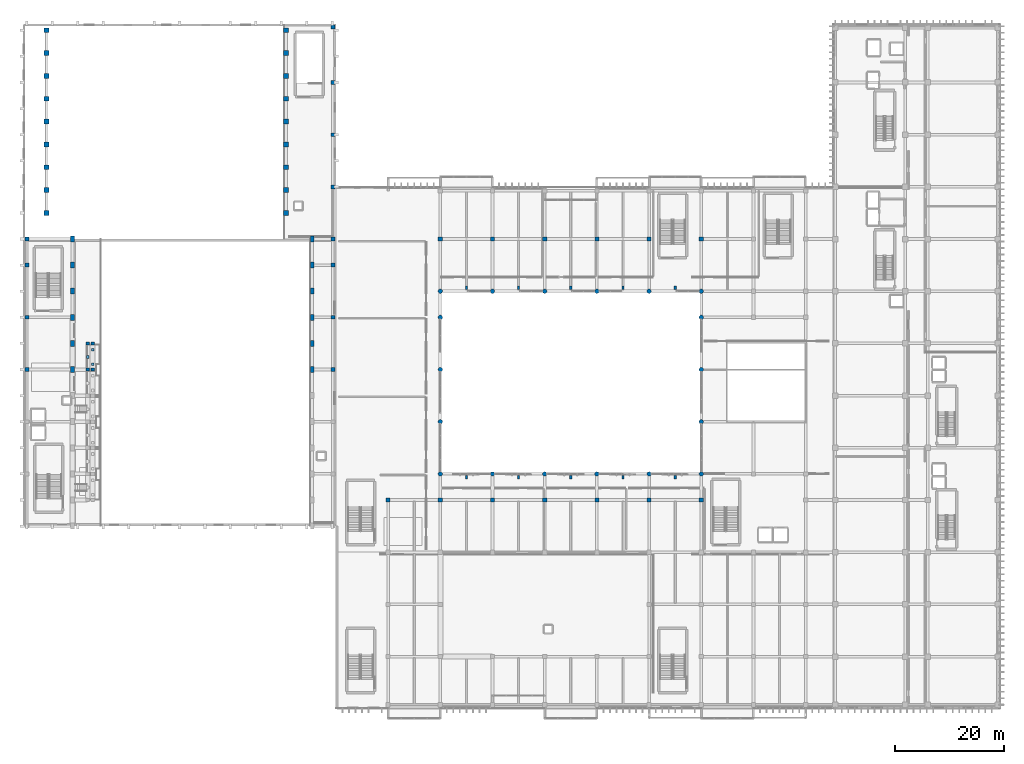
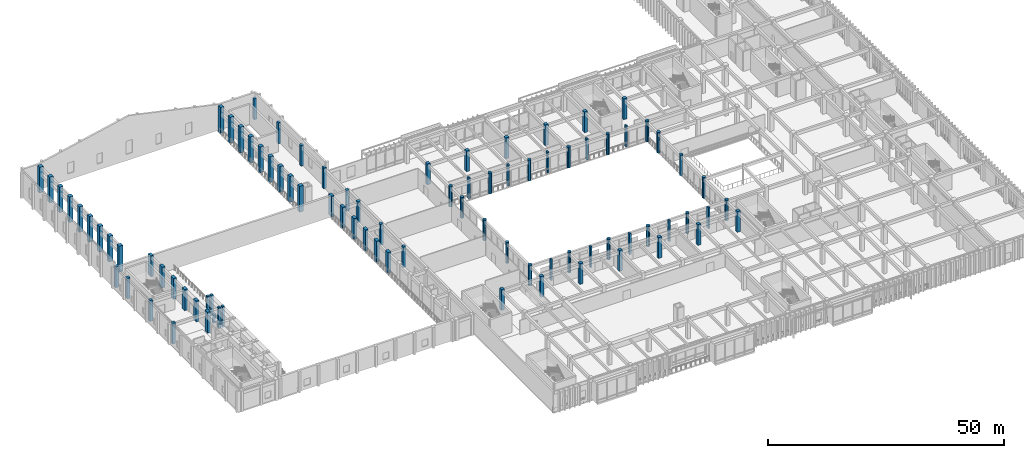
# One storey, part 3 of 134: 90 columns.
"""IFC4 building model written with IfcOpenShell, lengths in metres."""

from ifc_helpers import new_model, si_unit, direction, frame, origin, origin_2d, place, context, subcontext, project, spatial, rectangle, circle, extrude, material, material_profile, profile_set, type_object, element, save


model = new_model("IFC4")

# Units and contexts
model_context = context("Model", 3, precision=1e-05, world=origin(), true_north=direction((0.0, 1.0)))
body_context = subcontext(model_context, "Body", "Model", "MODEL_VIEW")
ifc_project = project(units=[si_unit("LENGTHUNIT", "METRE"), si_unit("AREAUNIT", "SQUARE_METRE"), si_unit("VOLUMEUNIT", "CUBIC_METRE"), si_unit("PLANEANGLEUNIT", "RADIAN"), si_unit("MASSUNIT", "GRAM", prefix="KILO")], contexts=[model_context])

# Site, building, storey
site_placement = place(None, origin())
site = spatial("IfcSite", under=ifc_project, at=site_placement, CompositionType="ELEMENT")
building_placement = place(site_placement, origin())
building = spatial("IfcBuilding", under=site, at=building_placement, Name="Nakhvara Creek Congress Hotel", CompositionType="ELEMENT")
storey_placement = place(building_placement, frame((0.0, 0.0, 6.0)))
storey = spatial("IfcBuildingStorey", under=building, at=storey_placement, Name="L01", CompositionType="ELEMENT", Elevation=6.0)

# Columns
ifc_material = material(Name="Concrete C50/60", Category="concrete")
ifc_material_profile_1 = material_profile(ifc_material, rectangle(XDim=0.5, YDim=0.5, at=origin_2d()), Name="RC-COL 500x500", Category="LoadBearing")
ifc_profile_set_1 = profile_set([ifc_material_profile_1], Name="Concrete C50/60")
column_type_1 = type_object("IfcColumnType", Name="COL-RC-500", PredefinedType="COLUMN", material=ifc_profile_set_1)
for number, where, z_axis, x_axis, name in (
    (1, (12.85009765625, 63.35009765625, 0.0), (0.0, 0.0, 1.0), (1.0, 0.0, 0.0), "Congress Stand Riser Pier L01-6.1"),
    (2, (12.85009765625, 66.050048828125, 0.0), (0.0, 0.0, 1.0), (1.0, 0.0, 0.0), "Congress Stand Riser Pier L01-6.2"),
    (3, (11.949951171875, 64.699951171875, 0.0), (0.0, 0.0, 1.0), (1.0, 0.0, 0.0), "Congress Stand Riser Pier L01-6.3"),
):
    element("IfcColumn", number, at=place(storey_placement, frame(where, z_axis=z_axis, x_axis=x_axis)), inside=storey, type_object=column_type_1, Name=name, PredefinedType="COLUMN", context=body_context, shape_type="SweptSolid", body=[
        extrude(rectangle(XDim=0.5, YDim=0.5, at=origin_2d()), origin(), (0.0, 0.0, 1.0), 1.159912109375),
    ])
ifc_material_profile_2 = material_profile(ifc_material, rectangle(XDim=0.60009765625, YDim=0.60009765625, at=origin_2d()), Name="RC-COL 600x600", Category="LoadBearing")
ifc_profile_set_2 = profile_set([ifc_material_profile_2], Name="Concrete C50/60")
column_type_2 = type_object("IfcColumnType", Name="COL-RC-600", PredefinedType="COLUMN", material=ifc_profile_set_2)
for number, where, z_axis, x_axis, name in (
    (4, (11.949951171875, 62.39990234375, 0.0), (0.0, 0.0, 1.0), (1.0, 0.0, 0.0), "Column C08-L01-0866"),
    (5, (12.85009765625, 62.39990234375, 0.0), (0.0, 0.0, 1.0), (1.0, 0.0, 0.0), "Column C08-L01-0867"),
    (6, (11.949951171875, 67.199951171875, 0.0), (0.0, 0.0, 1.0), (1.0, 0.0, 0.0), "Column C08-L01-0868"),
    (7, (12.85009765625, 67.199951171875, 0.0), (0.0, 0.0, 1.0), (1.0, 0.0, 0.0), "Column C08-L01-0869"),
):
    element("IfcColumn", number, at=place(storey_placement, frame(where, z_axis=z_axis, x_axis=x_axis)), inside=storey, type_object=column_type_2, Name=name, PredefinedType="COLUMN", context=body_context, shape_type="SweptSolid", body=[
        extrude(rectangle(XDim=0.60009765625, YDim=0.60009765625, at=origin_2d()), origin(), (0.0, 0.0, 1.0), 5.39990234375),
    ])
ifc_material_profile_3 = material_profile(ifc_material, rectangle(XDim=0.699951171875, YDim=0.699951171875, at=origin_2d()), Name="RC-COL 700x700", Category="LoadBearing")
ifc_profile_set_3 = profile_set([ifc_material_profile_3], Name="Concrete C50/60")
column_type_3 = type_object("IfcColumnType", Name="COL-RC-700", PredefinedType="COLUMN", material=ifc_profile_set_3)
for number, where, z_axis, x_axis, name in (
    (8, (0.75, 62.39990234375, 0.0), (0.0, 0.0, 1.0), (1.0, 0.0, 0.0), "Column C06-L01-0824"),
    (9, (57.050048828125, 62.39990234375, 0.0), (0.0, 0.0, 1.0), (1.0, 0.0, 0.0), "Column C06-L01-0825"),
    (10, (0.75, 72.0, 0.0), (0.0, 0.0, 1.0), (1.0, 0.0, 0.0), "Column C06-L01-0826"),
    (11, (57.050048828125, 72.0, 0.0), (0.0, 0.0, 1.0), (1.0, 0.0, 0.0), "Column C06-L01-0827"),
    (12, (0.75, 81.60009765625, 0.0), (0.0, 0.0, 1.0), (1.0, 0.0, 0.0), "Column C06-L01-0828"),
    (13, (57.050048828125, 81.60009765625, 0.0), (0.0, 0.0, 1.0), (1.0, 0.0, 0.0), "Column C06-L01-0829"),
    (14, (0.75, 86.39990234375, 0.0), (0.0, 0.0, 1.0), (1.0, 0.0, 0.0), "Column C06-L01-0830"),
    (15, (57.050048828125, 86.39990234375, 0.0), (0.0, 0.0, 1.0), (1.0, 0.0, 0.0), "Column C06-L01-0831"),
    (16, (57.050048828125, 96.0, 0.0), (0.0, 0.0, 1.0), (1.0, 0.0, 0.0), "Column C06-L01-0888"),
    (17, (57.050048828125, 105.60009765625, 0.0), (0.0, 0.0, 1.0), (1.0, 0.0, 0.0), "Column C06-L01-0889"),
    (18, (57.050048828125, 115.199951171875, 0.0), (0.0, 0.0, 1.0), (1.0, 0.0, 0.0), "Column C06-L01-0890"),
    (19, (57.050048828125, 125.39990234375, 0.0), (0.0, 0.0, 1.0), (1.0, 0.0, 0.0), "Column C06-L01-0891"),
):
    element("IfcColumn", number, at=place(storey_placement, frame(where, z_axis=z_axis, x_axis=x_axis)), inside=storey, type_object=column_type_3, Name=name, PredefinedType="COLUMN", context=body_context, shape_type="SweptSolid", body=[
        extrude(rectangle(XDim=0.699951171875, YDim=0.699951171875, at=origin_2d()), origin(), (0.0, 0.0, 1.0), 5.39990234375),
    ])
ifc_material_profile_4 = material_profile(ifc_material, rectangle(XDim=0.699951171875, YDim=1.10009765625, at=origin_2d()), Name="RC-COL 700x1100", Category="LoadBearing")
ifc_profile_set_4 = profile_set([ifc_material_profile_4], Name="Concrete C50/60")
column_type_4 = type_object("IfcColumnType", Name="COL-RC-700X1100", PredefinedType="COLUMN", material=ifc_profile_set_4)
for number, where, z_axis, x_axis, name in (
    (20, (9.14990234375, 62.39990234375, 0.0), (0.0, 0.0, 1.0), (1.0, 0.0, 0.0), "Column C12-L01-0844"),
    (21, (53.25, 62.39990234375, 0.0), (0.0, 0.0, 1.0), (1.0, 0.0, 0.0), "Column C12-L01-0845"),
    (22, (9.14990234375, 67.199951171875, 0.0), (0.0, 0.0, 1.0), (1.0, 0.0, 0.0), "Column C12-L01-0846"),
    (23, (53.25, 67.199951171875, 0.0), (0.0, 0.0, 1.0), (1.0, 0.0, 0.0), "Column C12-L01-0847"),
    (24, (9.14990234375, 72.0, 0.0), (0.0, 0.0, 1.0), (1.0, 0.0, 0.0), "Column C12-L01-0848"),
    (25, (53.25, 72.0, 0.0), (0.0, 0.0, 1.0), (1.0, 0.0, 0.0), "Column C12-L01-0849"),
    (26, (9.14990234375, 76.800048828125, 0.0), (0.0, 0.0, 1.0), (1.0, 0.0, 0.0), "Column C12-L01-0850"),
    (27, (53.25, 76.800048828125, 0.0), (0.0, 0.0, 1.0), (1.0, 0.0, 0.0), "Column C12-L01-0851"),
    (28, (9.14990234375, 81.60009765625, 0.0), (0.0, 0.0, 1.0), (1.0, 0.0, 0.0), "Column C12-L01-0852"),
    (29, (53.25, 81.60009765625, 0.0), (0.0, 0.0, 1.0), (1.0, 0.0, 0.0), "Column C12-L01-0853"),
    (30, (9.14990234375, 86.39990234375, 0.0), (0.0, 0.0, 1.0), (1.0, 0.0, 0.0), "Column C12-L01-0854"),
    (31, (53.25, 86.39990234375, 0.0), (0.0, 0.0, 1.0), (1.0, 0.0, 0.0), "Column C12-L01-0855"),
):
    element("IfcColumn", number, at=place(storey_placement, frame(where, z_axis=z_axis, x_axis=x_axis)), inside=storey, type_object=column_type_4, Name=name, PredefinedType="COLUMN", context=body_context, shape_type="SweptSolid", body=[
        extrude(rectangle(XDim=0.699951171875, YDim=1.10009765625, at=origin_2d()), origin(), (0.0, 0.0, 1.0), 5.39990234375),
    ])
ifc_material_profile_5 = material_profile(ifc_material, rectangle(XDim=0.780029296875, YDim=0.780029296875, at=origin_2d()), Name="RC-COL 780x780", Category="LoadBearing")
ifc_profile_set_5 = profile_set([ifc_material_profile_5], Name="Concrete C50/60")
column_type_5 = type_object("IfcColumnType", Name="COL-RC-780", PredefinedType="COLUMN", material=ifc_profile_set_5)
for number, where, z_axis, x_axis, name in (
    (32, (67.199951171875, 38.39990234375, 0.0), (0.0, 0.0, 1.0), (1.0, 0.0, 0.0), "Column C19-L01-0896"),
    (33, (76.800048828125, 38.39990234375, 0.0), (0.0, 0.0, 1.0), (1.0, 0.0, 0.0), "Column C19-L01-0901"),
    (34, (76.800048828125, 86.39990234375, 0.0), (0.0, 0.0, 1.0), (1.0, 0.0, 0.0), "Column C19-L01-0907"),
    (35, (86.39990234375, 38.39990234375, 0.0), (0.0, 0.0, 1.0), (1.0, 0.0, 0.0), "Column C19-L01-0912"),
    (36, (86.39990234375, 86.39990234375, 0.0), (0.0, 0.0, 1.0), (1.0, 0.0, 0.0), "Column C19-L01-0915"),
    (37, (96.0, 38.39990234375, 0.0), (0.0, 0.0, 1.0), (1.0, 0.0, 0.0), "Column C19-L01-0920"),
    (38, (96.0, 86.39990234375, 0.0), (0.0, 0.0, 1.0), (1.0, 0.0, 0.0), "Column C19-L01-0923"),
    (39, (105.60009765625, 38.39990234375, 0.0), (0.0, 0.0, 1.0), (1.0, 0.0, 0.0), "Column C19-L01-0928"),
    (40, (105.60009765625, 86.39990234375, 0.0), (0.0, 0.0, 1.0), (1.0, 0.0, 0.0), "Column C19-L01-0931"),
    (41, (115.199951171875, 38.39990234375, 0.0), (0.0, 0.0, 1.0), (1.0, 0.0, 0.0), "Column C19-L01-0937"),
    (42, (115.199951171875, 86.39990234375, 0.0), (0.0, 0.0, 1.0), (1.0, 0.0, 0.0), "Column C19-L01-0940"),
    (43, (124.800048828125, 38.39990234375, 0.0), (0.0, 0.0, 1.0), (1.0, 0.0, 0.0), "Column C19-L01-0946"),
    (44, (124.800048828125, 86.39990234375, 0.0), (0.0, 0.0, 1.0), (1.0, 0.0, 0.0), "Column C19-L01-0952"),
):
    element("IfcColumn", number, at=place(storey_placement, frame(where, z_axis=z_axis, x_axis=x_axis)), inside=storey, type_object=column_type_5, Name=name, PredefinedType="COLUMN", context=body_context, shape_type="SweptSolid", body=[
        extrude(rectangle(XDim=0.780029296875, YDim=0.780029296875, at=origin_2d()), origin(), (0.0, 0.0, 1.0), 5.39990234375),
    ])
ifc_material_profile_6 = material_profile(ifc_material, rectangle(XDim=0.89990234375, YDim=0.89990234375, at=origin_2d()), Name="RC-COL 900x900", Category="LoadBearing")
ifc_profile_set_6 = profile_set([ifc_material_profile_6], Name="Concrete C50/60")
column_type_6 = type_object("IfcColumnType", Name="COL-RC-900", PredefinedType="COLUMN", material=ifc_profile_set_6)
for number, where, z_axis, x_axis, name in (
    (45, (4.35009765625, 91.199951171875, 0.0), (0.0, 0.0, 1.0), (1.0, 0.0, 0.0), "Column C03-L01-0870"),
    (46, (48.449951171875, 91.199951171875, 0.0), (0.0, 0.0, 1.0), (1.0, 0.0, 0.0), "Column C03-L01-0871"),
    (47, (4.35009765625, 95.39990234375, 0.0), (0.0, 0.0, 1.0), (1.0, 0.0, 0.0), "Column C03-L01-0872"),
    (48, (48.449951171875, 95.39990234375, 0.0), (0.0, 0.0, 1.0), (1.0, 0.0, 0.0), "Column C03-L01-0873"),
    (49, (4.35009765625, 99.60009765625, 0.0), (0.0, 0.0, 1.0), (1.0, 0.0, 0.0), "Column C03-L01-0874"),
    (50, (48.449951171875, 99.60009765625, 0.0), (0.0, 0.0, 1.0), (1.0, 0.0, 0.0), "Column C03-L01-0875"),
    (51, (4.35009765625, 103.800048828125, 0.0), (0.0, 0.0, 1.0), (1.0, 0.0, 0.0), "Column C03-L01-0876"),
    (52, (48.449951171875, 103.800048828125, 0.0), (0.0, 0.0, 1.0), (1.0, 0.0, 0.0), "Column C03-L01-0877"),
    (53, (4.35009765625, 108.0, 0.0), (0.0, 0.0, 1.0), (1.0, 0.0, 0.0), "Column C03-L01-0878"),
    (54, (48.449951171875, 108.0, 0.0), (0.0, 0.0, 1.0), (1.0, 0.0, 0.0), "Column C03-L01-0879"),
    (55, (4.35009765625, 112.199951171875, 0.0), (0.0, 0.0, 1.0), (1.0, 0.0, 0.0), "Column C03-L01-0880"),
    (56, (48.449951171875, 112.199951171875, 0.0), (0.0, 0.0, 1.0), (1.0, 0.0, 0.0), "Column C03-L01-0881"),
    (57, (4.35009765625, 116.39990234375, 0.0), (0.0, 0.0, 1.0), (1.0, 0.0, 0.0), "Column C03-L01-0882"),
    (58, (48.449951171875, 116.39990234375, 0.0), (0.0, 0.0, 1.0), (1.0, 0.0, 0.0), "Column C03-L01-0883"),
    (59, (4.35009765625, 120.60009765625, 0.0), (0.0, 0.0, 1.0), (1.0, 0.0, 0.0), "Column C03-L01-0884"),
    (60, (48.449951171875, 120.60009765625, 0.0), (0.0, 0.0, 1.0), (1.0, 0.0, 0.0), "Column C03-L01-0885"),
    (61, (4.35009765625, 124.800048828125, 0.0), (0.0, 0.0, 1.0), (1.0, 0.0, 0.0), "Column C03-L01-0886"),
    (62, (48.449951171875, 124.800048828125, 0.0), (0.0, 0.0, 1.0), (1.0, 0.0, 0.0), "Column C03-L01-0887"),
):
    element("IfcColumn", number, at=place(storey_placement, frame(where, z_axis=z_axis, x_axis=x_axis)), inside=storey, type_object=column_type_6, Name=name, PredefinedType="COLUMN", context=body_context, shape_type="SweptSolid", body=[
        extrude(rectangle(XDim=0.89990234375, YDim=0.89990234375, at=origin_2d()), origin(), (0.0, 0.0, 1.0), 6.64990234375),
    ])
ifc_material_profile_7 = material_profile(ifc_material, circle(Radius=0.39990234375, at=origin_2d()), Name="RC-COL D800", Category="LoadBearing")
ifc_profile_set_7 = profile_set([ifc_material_profile_7], Name="Concrete C50/60")
column_type_7 = type_object("IfcColumnType", Name="COL-RC-D800", PredefinedType="COLUMN", material=ifc_profile_set_7)
for number, where, z_axis, x_axis, name in (
    (63, (76.800048828125, 43.199951171875, 0.0), (0.0, 0.0, 1.0), (1.0, 0.0, 0.0), "Column C14-L01-0902"),
    (64, (76.800048828125, 52.800048828125, 0.0), (0.0, 0.0, 1.0), (1.0, 0.0, 0.0), "Column C14-L01-0903"),
    (65, (76.800048828125, 62.39990234375, 0.0), (0.0, 0.0, 1.0), (1.0, 0.0, 0.0), "Column C14-L01-0904"),
    (66, (76.800048828125, 72.0, 0.0), (0.0, 0.0, 1.0), (1.0, 0.0, 0.0), "Column C14-L01-0905"),
    (67, (76.800048828125, 76.800048828125, 0.0), (0.0, 0.0, 1.0), (1.0, 0.0, 0.0), "Column C14-L01-0906"),
    (68, (86.39990234375, 43.199951171875, 0.0), (0.0, 0.0, 1.0), (1.0, 0.0, 0.0), "Column C14-L01-0913"),
    (69, (86.39990234375, 76.800048828125, 0.0), (0.0, 0.0, 1.0), (1.0, 0.0, 0.0), "Column C14-L01-0914"),
    (70, (96.0, 43.199951171875, 0.0), (0.0, 0.0, 1.0), (1.0, 0.0, 0.0), "Column C14-L01-0921"),
    (71, (96.0, 76.800048828125, 0.0), (0.0, 0.0, 1.0), (1.0, 0.0, 0.0), "Column C14-L01-0922"),
    (72, (105.60009765625, 43.199951171875, 0.0), (0.0, 0.0, 1.0), (1.0, 0.0, 0.0), "Column C14-L01-0929"),
    (73, (105.60009765625, 76.800048828125, 0.0), (0.0, 0.0, 1.0), (1.0, 0.0, 0.0), "Column C14-L01-0930"),
    (74, (115.199951171875, 43.199951171875, 0.0), (0.0, 0.0, 1.0), (1.0, 0.0, 0.0), "Column C14-L01-0938"),
    (75, (115.199951171875, 76.800048828125, 0.0), (0.0, 0.0, 1.0), (1.0, 0.0, 0.0), "Column C14-L01-0939"),
    (76, (124.800048828125, 43.199951171875, 0.0), (0.0, 0.0, 1.0), (1.0, 0.0, 0.0), "Column C14-L01-0947"),
    (77, (124.800048828125, 52.800048828125, 0.0), (0.0, 0.0, 1.0), (1.0, 0.0, 0.0), "Column C14-L01-0948"),
    (78, (124.800048828125, 62.39990234375, 0.0), (0.0, 0.0, 1.0), (1.0, 0.0, 0.0), "Column C14-L01-0949"),
    (79, (124.800048828125, 72.0, 0.0), (0.0, 0.0, 1.0), (1.0, 0.0, 0.0), "Column C14-L01-0950"),
    (80, (124.800048828125, 76.800048828125, 0.0), (0.0, 0.0, 1.0), (1.0, 0.0, 0.0), "Column C14-L01-0951"),
):
    element("IfcColumn", number, at=place(storey_placement, frame(where, z_axis=z_axis, x_axis=x_axis)), inside=storey, type_object=column_type_7, Name=name, PredefinedType="COLUMN", context=body_context, shape_type="SweptSolid", body=[
        extrude(circle(Radius=0.39990234375, at=origin_2d()), origin(), (0.0, 0.0, 1.0), 5.39990234375),
    ])
ifc_material_profile_8 = material_profile(ifc_material, rectangle(XDim=0.39990234375, YDim=0.64990234375, at=origin_2d()), Name="RC-PIL 400x650", Category="LoadBearing")
ifc_profile_set_8 = profile_set([ifc_material_profile_8], Name="Concrete C50/60")
column_type_8 = type_object("IfcColumnType", Name="PIL-RC-400X650", PredefinedType="PILASTER", material=ifc_profile_set_8)
for number, where, z_axis, x_axis, name in (
    (81, (81.60009765625, 42.60009765625, 0.0), (0.0, 0.0, 1.0), (1.0, 0.0, 0.0), "Pilaster Pier PL1-L01-031"),
    (82, (91.199951171875, 42.60009765625, 0.0), (0.0, 0.0, 1.0), (1.0, 0.0, 0.0), "Pilaster Pier PL1-L01-032"),
    (83, (100.800048828125, 42.60009765625, 0.0), (0.0, 0.0, 1.0), (1.0, 0.0, 0.0), "Pilaster Pier PL1-L01-033"),
    (84, (110.39990234375, 42.60009765625, 0.0), (0.0, 0.0, 1.0), (1.0, 0.0, 0.0), "Pilaster Pier PL1-L01-034"),
    (85, (120.0, 42.60009765625, 0.0), (0.0, 0.0, 1.0), (1.0, 0.0, 0.0), "Pilaster Pier PL1-L01-035"),
    (86, (81.60009765625, 77.39990234375, 0.0), (0.0, 0.0, 1.0), (1.0, 0.0, 0.0), "Pilaster Pier PL1-L01-036"),
    (87, (91.199951171875, 77.39990234375, 0.0), (0.0, 0.0, 1.0), (1.0, 0.0, 0.0), "Pilaster Pier PL1-L01-037"),
    (88, (100.800048828125, 77.39990234375, 0.0), (0.0, 0.0, 1.0), (1.0, 0.0, 0.0), "Pilaster Pier PL1-L01-038"),
    (89, (110.39990234375, 77.39990234375, 0.0), (0.0, 0.0, 1.0), (1.0, 0.0, 0.0), "Pilaster Pier PL1-L01-039"),
    (90, (120.0, 77.39990234375, 0.0), (0.0, 0.0, 1.0), (1.0, 0.0, 0.0), "Pilaster Pier PL1-L01-040"),
):
    element("IfcColumn", number, at=place(storey_placement, frame(where, z_axis=z_axis, x_axis=x_axis)), inside=storey, type_object=column_type_8, Name=name, PredefinedType="PILASTER", context=body_context, shape_type="SweptSolid", body=[
        extrude(rectangle(XDim=0.39990234375, YDim=0.64990234375, at=origin_2d()), origin(), (0.0, 0.0, 1.0), 5.39990234375),
    ])

save(model, "model.ifc")
